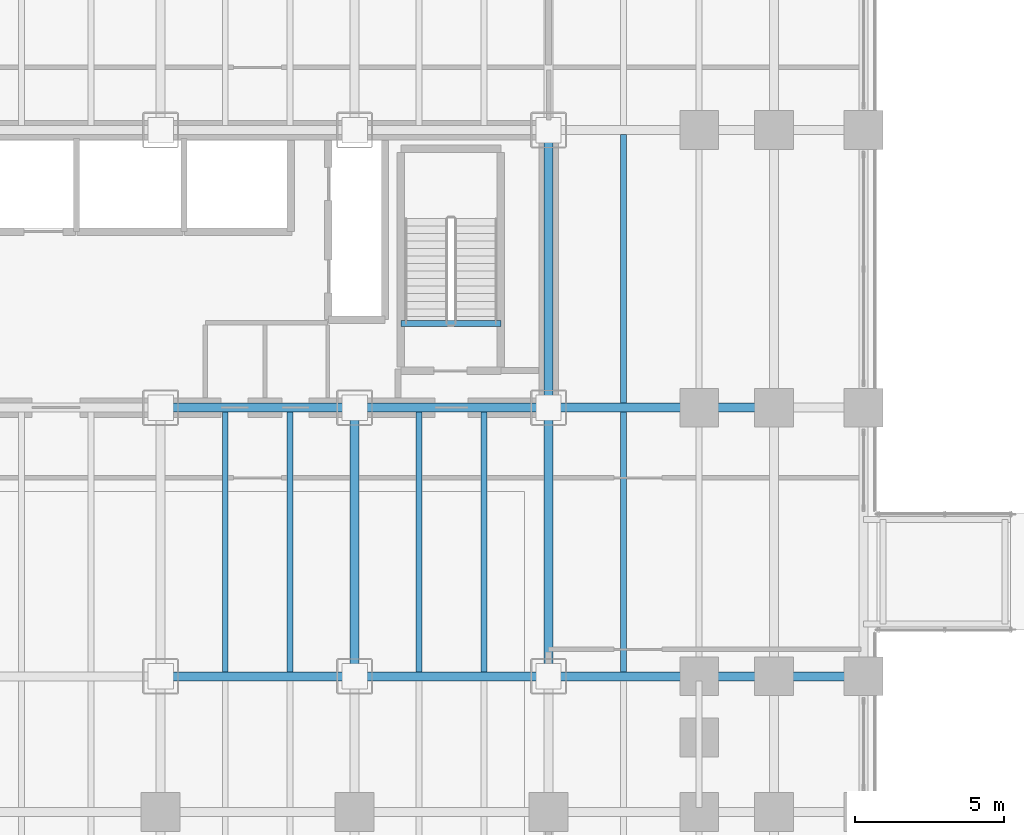
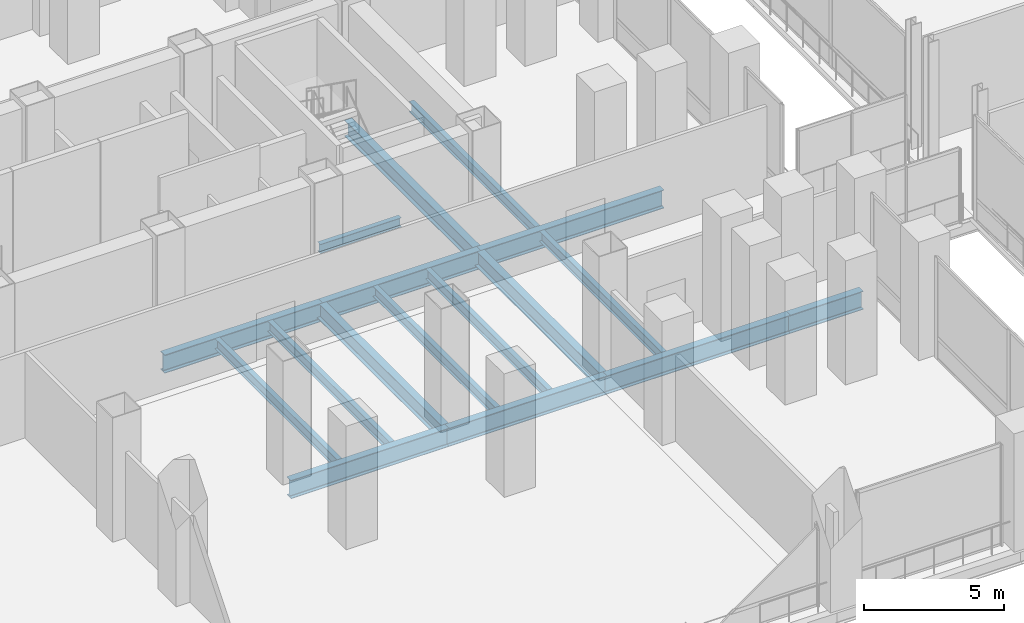
# One storey, part 13 of 30: 17 beams.
"""IFC4 building model written with IfcOpenShell, lengths in metres."""

from ifc_helpers import new_model, si_unit, direction, frame, origin, origin_2d, place, context, subcontext, project, spatial, i_section, extrude, material, material_profile, profile_set, type_object, element, save


model = new_model("IFC4")

# Units and contexts
model_context = context("Model", 3, precision=1e-05, world=origin(), true_north=direction((0.0, 1.0)))
body_context = subcontext(model_context, "Body", "Model", "MODEL_VIEW")
ifc_project = project(units=[si_unit("LENGTHUNIT", "METRE"), si_unit("AREAUNIT", "SQUARE_METRE"), si_unit("VOLUMEUNIT", "CUBIC_METRE"), si_unit("PLANEANGLEUNIT", "RADIAN"), si_unit("MASSUNIT", "GRAM", prefix="KILO")], contexts=[model_context])

# Site, building, storey
site_placement = place(None, origin())
site = spatial("IfcSite", under=ifc_project, at=site_placement, CompositionType="ELEMENT")
building_placement = place(site_placement, origin())
building = spatial("IfcBuilding", under=site, at=building_placement, Name="Noeulbin Bourse Tower", CompositionType="ELEMENT")
storey_placement = place(building_placement, frame((0.0, 0.0, 16.60009765625)))
storey = spatial("IfcBuildingStorey", under=building, at=storey_placement, Name="L04", CompositionType="ELEMENT", Elevation=16.60009765625)

# Beams
ifc_material = material(Name="Steel S355", Category="steel")
ifc_material_profile_1 = material_profile(ifc_material, i_section(OverallWidth=0.300048828125, OverallDepth=0.699951171875, WebThickness=0.012939453125, FlangeThickness=0.02392578125, FilletRadius=0.02392578125, at=origin_2d()), Name="H-700x300x13x24", Category="LoadBearing")
ifc_profile_set_1 = profile_set([ifc_material_profile_1], Name="Steel S355")
beam_type_1 = type_object("IfcBeamType", Name="BM-GRD-700", PredefinedType="USERDEFINED", material=ifc_profile_set_1)
for number, where, z_axis, x_axis, name in (
    (1, (37.5, 20.0, -0.60009765625), (0.0, 1.0, 0.0), (-1.0, 0.0, 0.0), "Podium Primary Girder NS L04-087"),
    (2, (44.0, 20.0, -0.60009765625), (0.0, 1.0, 0.0), (-1.0, 0.0, 0.0), "Podium Primary Girder NS L04-092"),
):
    element("IfcBeam", number, at=place(storey_placement, frame(where, z_axis=z_axis, x_axis=x_axis)), inside=storey, type_object=beam_type_1, Name=name, ObjectType="GIRDER", PredefinedType="USERDEFINED", context=body_context, shape_type="SweptSolid", body=[
        extrude(i_section(OverallWidth=0.300048828125, OverallDepth=0.699951171875, WebThickness=0.012939453125, FlangeThickness=0.02392578125, FilletRadius=0.02392578125, at=origin_2d()), origin(), (0.0, 0.0, 1.0), 9.0),
    ])
beam_1_placement = place(storey_placement, frame((44.0, 29.0, -0.60009765625), z_axis=(0.0, 1.0, 0.0), x_axis=(-1.0, 0.0, 0.0)))
element("IfcBeam", 3, at=beam_1_placement, inside=storey, type_object=beam_type_1, Name="Podium Primary Girder NS L04-093", ObjectType="GIRDER", PredefinedType="USERDEFINED", context=body_context, shape_type="SweptSolid", body=[
    extrude(i_section(OverallWidth=0.300048828125, OverallDepth=0.699951171875, WebThickness=0.012939453125, FlangeThickness=0.02392578125, FilletRadius=0.02392578125, at=origin_2d()), origin(), (0.0, 0.0, 1.0), 9.300048828125),
])
ifc_material_profile_2 = material_profile(ifc_material, i_section(OverallWidth=0.300048828125, OverallDepth=0.800048828125, WebThickness=0.013916015625, FlangeThickness=0.02587890625, FilletRadius=0.02587890625, at=origin_2d()), Name="H-800x300x14x26", Category="LoadBearing")
ifc_profile_set_2 = profile_set([ifc_material_profile_2], Name="Steel S355")
beam_type_2 = type_object("IfcBeamType", Name="BM-GRD-800", PredefinedType="USERDEFINED", material=ifc_profile_set_2)
for number, where, z_axis, x_axis, name in (
    (4, (31.0, 20.0, -0.650146484375), (1.0, 0.0, 0.0), (0.0, 1.0, 0.0), "Podium Primary Girder EW L04-021"),
    (5, (37.5, 20.0, -0.650146484375), (1.0, 0.0, 0.0), (0.0, 1.0, 0.0), "Podium Primary Girder EW L04-022"),
):
    element("IfcBeam", number, at=place(storey_placement, frame(where, z_axis=z_axis, x_axis=x_axis)), inside=storey, type_object=beam_type_2, Name=name, ObjectType="GIRDER", PredefinedType="USERDEFINED", context=body_context, shape_type="SweptSolid", body=[
        extrude(i_section(OverallWidth=0.300048828125, OverallDepth=0.800048828125, WebThickness=0.013916015625, FlangeThickness=0.02587890625, FilletRadius=0.02587890625, at=origin_2d()), origin(), (0.0, 0.0, 1.0), 6.5),
    ])
beam_2_placement = place(storey_placement, frame((44.0, 20.0, -0.650146484375), z_axis=(1.0, 0.0, 0.0), x_axis=(0.0, 1.0, 0.0)))
element("IfcBeam", 6, at=beam_2_placement, inside=storey, type_object=beam_type_2, Name="Podium Primary Girder EW L04-023", ObjectType="GIRDER", PredefinedType="USERDEFINED", context=body_context, shape_type="SweptSolid", body=[
    extrude(i_section(OverallWidth=0.300048828125, OverallDepth=0.800048828125, WebThickness=0.013916015625, FlangeThickness=0.02587890625, FilletRadius=0.02587890625, at=origin_2d()), origin(), (0.0, 0.0, 1.0), 7.550048828125),
])
beam_3_placement = place(storey_placement, frame((51.550048828125, 20.0, -0.650146484375), z_axis=(1.0, 0.0, 0.0), x_axis=(0.0, 1.0, 0.0)))
element("IfcBeam", 7, at=beam_3_placement, inside=storey, type_object=beam_type_2, Name="Podium Primary Girder EW L04-024", ObjectType="GIRDER", PredefinedType="USERDEFINED", context=body_context, shape_type="SweptSolid", body=[
    extrude(i_section(OverallWidth=0.300048828125, OverallDepth=0.800048828125, WebThickness=0.013916015625, FlangeThickness=0.02587890625, FilletRadius=0.02587890625, at=origin_2d()), origin(), (0.0, 0.0, 1.0), 3.0),
])
for number, where, z_axis, x_axis, name in (
    (8, (31.0, 29.0, -0.650146484375), (1.0, 0.0, 0.0), (0.0, 1.0, 0.0), "Podium Primary Girder EW L04-029"),
    (9, (37.5, 29.0, -0.650146484375), (1.0, 0.0, 0.0), (0.0, 1.0, 0.0), "Podium Primary Girder EW L04-030"),
):
    element("IfcBeam", number, at=place(storey_placement, frame(where, z_axis=z_axis, x_axis=x_axis)), inside=storey, type_object=beam_type_2, Name=name, ObjectType="GIRDER", PredefinedType="USERDEFINED", context=body_context, shape_type="SweptSolid", body=[
        extrude(i_section(OverallWidth=0.300048828125, OverallDepth=0.800048828125, WebThickness=0.013916015625, FlangeThickness=0.02587890625, FilletRadius=0.02587890625, at=origin_2d()), origin(), (0.0, 0.0, 1.0), 6.5),
    ])
beam_4_placement = place(storey_placement, frame((44.0, 29.0, -0.650146484375), z_axis=(1.0, 0.0, 0.0), x_axis=(0.0, 1.0, 0.0)))
element("IfcBeam", 10, at=beam_4_placement, inside=storey, type_object=beam_type_2, Name="Podium Primary Girder EW L04-031", ObjectType="GIRDER", PredefinedType="USERDEFINED", context=body_context, shape_type="SweptSolid", body=[
    extrude(i_section(OverallWidth=0.300048828125, OverallDepth=0.800048828125, WebThickness=0.013916015625, FlangeThickness=0.02587890625, FilletRadius=0.02587890625, at=origin_2d()), origin(), (0.0, 0.0, 1.0), 7.550048828125),
])
ifc_material_profile_3 = material_profile(ifc_material, i_section(OverallWidth=0.199951171875, OverallDepth=0.39990234375, WebThickness=0.008056640625, FlangeThickness=0.012939453125, FilletRadius=0.01611328125, at=origin_2d()), Name="H-400x200x8x13", Category="LoadBearing")
ifc_profile_set_3 = profile_set([ifc_material_profile_3], Name="Steel S355")
beam_type_3 = type_object("IfcBeamType", Name="BM-SEC-400", PredefinedType="BEAM", material=ifc_profile_set_3)
beam_5_placement = place(storey_placement, frame((39.06005859375, 31.820068359375, -0.2001953125), z_axis=(1.0, 0.0, 0.0), x_axis=(0.0, 1.0, 0.0)))
element("IfcBeam", 11, at=beam_5_placement, inside=storey, type_object=beam_type_3, Name="Stair Threshold Trimmer Beam ST2-L04", PredefinedType="BEAM", context=body_context, shape_type="SweptSolid", body=[
    extrude(i_section(OverallWidth=0.199951171875, OverallDepth=0.39990234375, WebThickness=0.008056640625, FlangeThickness=0.012939453125, FilletRadius=0.01611328125, at=origin_2d()), origin(), (0.0, 0.0, 1.0), 3.33984375),
])
ifc_material_profile_4 = material_profile(ifc_material, i_section(OverallWidth=0.199951171875, OverallDepth=0.449951171875, WebThickness=0.009033203125, FlangeThickness=0.013916015625, FilletRadius=0.01806640625, at=origin_2d()), Name="H-450x200x9x14", Category="LoadBearing")
ifc_profile_set_4 = profile_set([ifc_material_profile_4], Name="Steel S355")
beam_type_4 = type_object("IfcBeamType", Name="BM-SEC-450", PredefinedType="BEAM", material=ifc_profile_set_4)
for number, where, z_axis, x_axis, name in (
    (12, (33.166748046875, 20.14990234375, -0.47509765625), (0.0, 1.0, 0.0), (-1.0, 0.0, 0.0), "Podium Secondary Beam L04-055"),
    (13, (35.333251953125, 20.14990234375, -0.47509765625), (0.0, 1.0, 0.0), (-1.0, 0.0, 0.0), "Podium Secondary Beam L04-060"),
    (14, (39.666748046875, 20.14990234375, -0.47509765625), (0.0, 1.0, 0.0), (-1.0, 0.0, 0.0), "Podium Secondary Beam L04-065"),
    (15, (41.833251953125, 20.14990234375, -0.47509765625), (0.0, 1.0, 0.0), (-1.0, 0.0, 0.0), "Podium Secondary Beam L04-070"),
    (16, (46.5166015625, 20.14990234375, -0.47509765625), (0.0, 1.0, 0.0), (-1.0, 0.0, 0.0), "Podium Secondary Beam L04-075"),
):
    element("IfcBeam", number, at=place(storey_placement, frame(where, z_axis=z_axis, x_axis=x_axis)), inside=storey, type_object=beam_type_4, Name=name, PredefinedType="BEAM", context=body_context, shape_type="SweptSolid", body=[
        extrude(i_section(OverallWidth=0.199951171875, OverallDepth=0.449951171875, WebThickness=0.009033203125, FlangeThickness=0.013916015625, FilletRadius=0.01806640625, at=origin_2d()), origin(), (0.0, 0.0, 1.0), 8.7001953125),
    ])
beam_6_placement = place(storey_placement, frame((46.5166015625, 29.14990234375, -0.47509765625), z_axis=(0.0, 1.0, 0.0), x_axis=(-1.0, 0.0, 0.0)))
element("IfcBeam", 17, at=beam_6_placement, inside=storey, type_object=beam_type_4, Name="Podium Secondary Beam L04-076", PredefinedType="BEAM", context=body_context, shape_type="SweptSolid", body=[
    extrude(i_section(OverallWidth=0.199951171875, OverallDepth=0.449951171875, WebThickness=0.009033203125, FlangeThickness=0.013916015625, FilletRadius=0.01806640625, at=origin_2d()), origin(), (0.0, 0.0, 1.0), 9.0),
])

save(model, "model.ifc")
